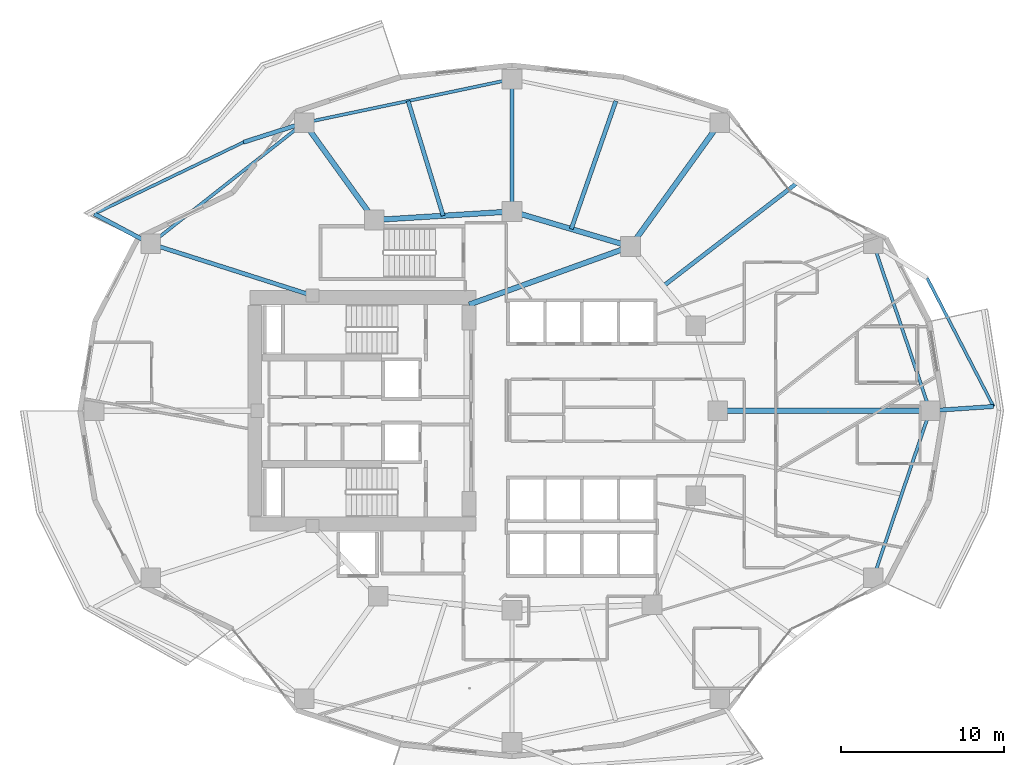
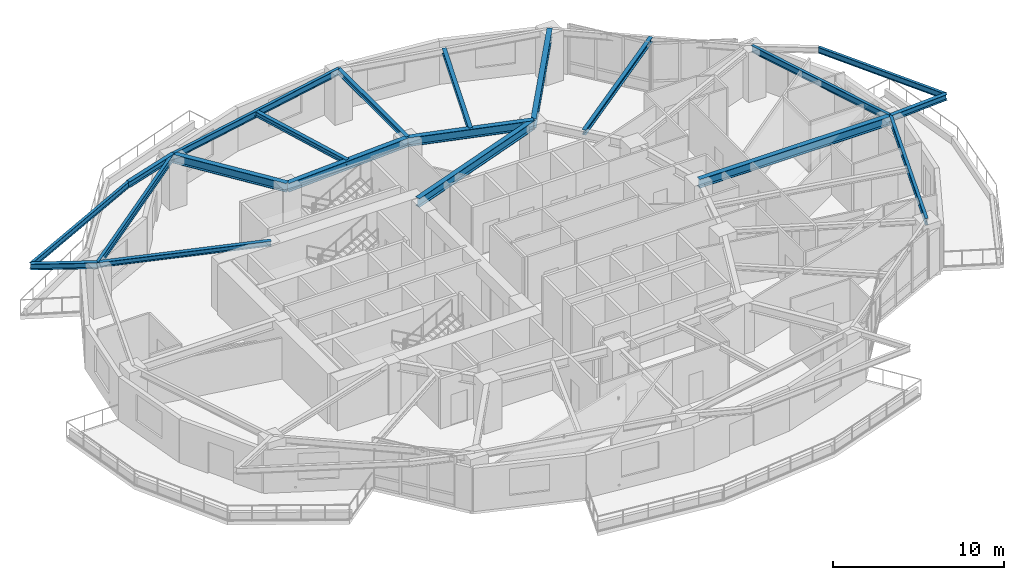
# One storey, part 5 of 19: 20 beams.
"""IFC4 building model written with IfcOpenShell, lengths in metres."""

from ifc_helpers import new_model, si_unit, direction, frame, origin, origin_2d, place, context, subcontext, project, spatial, i_section, extrude, material, material_profile, profile_set, type_object, element, save


model = new_model("IFC4")

# Units and contexts
model_context = context("Model", 3, precision=1e-05, world=origin(), true_north=direction((0.0, 1.0)))
body_context = subcontext(model_context, "Body", "Model", "MODEL_VIEW")
ifc_project = project(units=[si_unit("LENGTHUNIT", "METRE"), si_unit("AREAUNIT", "SQUARE_METRE"), si_unit("VOLUMEUNIT", "CUBIC_METRE"), si_unit("PLANEANGLEUNIT", "RADIAN"), si_unit("MASSUNIT", "GRAM", prefix="KILO")], contexts=[model_context])

# Site, building, storey
site_placement = place(None, origin())
site = spatial("IfcSite", under=ifc_project, at=site_placement, CompositionType="ELEMENT")
building_placement = place(site_placement, origin())
building = spatial("IfcBuilding", under=site, at=building_placement, Name="Kolvaren Gate Tower and Convention Centre", CompositionType="ELEMENT")
storey_placement = place(building_placement, frame((0.0, 0.0, 68.85009765625)))
storey = spatial("IfcBuildingStorey", under=building, at=storey_placement, Name="L16", CompositionType="ELEMENT", Elevation=68.85009765625)

# Beams
ifc_material = material(Name="Structural steel ASTM A992 Grade 345 MPa", Category="steel")
ifc_material_profile_1 = material_profile(ifc_material, i_section(OverallWidth=0.260009765625, OverallDepth=0.419921875, WebThickness=0.013427734375, FlangeThickness=0.0224609375, at=origin_2d()), Name="W410X132")
ifc_profile_set_1 = profile_set([ifc_material_profile_1], Name="Structural steel ASTM A992 Grade 345 MPa")
beam_type_1 = type_object("IfcBeamType", Name="STR-BM-W410X132", PredefinedType="BEAM", material=ifc_profile_set_1)
for number, where, z_axis, x_axis, name in (
    (1, (17.40380859375, 44.627197265625, 3.3603515625), (-0.952402340544, -0.304843864505, 0.0), (0.304843864505, -0.952402340544, 0.0), "Tower L17 Planted Balcony Outrigger Cantilever BC-1A"),
    (2, (8.001220703125, 37.218505859375, 3.3603515625), (-0.883204047485, 0.468988923649, 0.0), (-0.468988923649, -0.883204047485, 0.0), "Tower L17 Planted Balcony Outrigger Cantilever BC-1B"),
    (3, (55.71240234375, 27.0, 3.3603515625), (0.997745931522, 0.067104814517, 0.0), (-0.067104814517, 0.997745931522, 0.0), "Tower L17 Planted Balcony Outrigger Cantilever BC-4A"),
):
    element("IfcBeam", number, at=place(storey_placement, frame(where, z_axis=z_axis, x_axis=x_axis)), inside=storey, type_object=beam_type_1, Name=name, PredefinedType="BEAM", context=body_context, shape_type="SweptSolid", body=[
        extrude(i_section(OverallWidth=0.260009765625, OverallDepth=0.419921875, WebThickness=0.013427734375, FlangeThickness=0.0224609375, at=origin_2d()), origin(), (0.0, 0.0, 1.0), 3.900146484375),
    ])
ifc_material_profile_2 = material_profile(ifc_material, i_section(OverallWidth=0.327880859375, OverallDepth=0.6279296875, WebThickness=0.0166015625, FlangeThickness=0.027587890625, at=origin_2d()), Name="W610X217")
ifc_profile_set_2 = profile_set([ifc_material_profile_2], Name="Structural steel ASTM A992 Grade 345 MPa")
beam_type_2 = type_object("IfcBeamType", Name="STR-BM-W610X217", PredefinedType="BEAM", material=ifc_profile_set_2)
beam_1_placement = place(storey_placement, frame((37.381591796875, 37.054931640625, 3.255859375), z_axis=(-0.958980837827, 0.283470902706, 0.0), x_axis=(-0.283470902706, -0.958980837827, 0.0)))
element("IfcBeam", 4, at=beam_1_placement, inside=storey, type_object=beam_type_2, Name="Tower L16 Primary Ring Girder G-03", PredefinedType="BEAM", context=body_context, shape_type="SweptSolid", body=[
    extrude(i_section(OverallWidth=0.327880859375, OverallDepth=0.6279296875, WebThickness=0.0166015625, FlangeThickness=0.027587890625, at=origin_2d()), origin(), (0.0, 0.0, 1.0), 7.56689453125),
])
beam_2_placement = place(storey_placement, frame((30.125, 39.199951171875, 3.255859375), z_axis=(-0.998078258568, -0.06196603726, 0.0), x_axis=(0.06196603726, -0.998078258568, 0.0)))
element("IfcBeam", 5, at=beam_2_placement, inside=storey, type_object=beam_type_2, Name="Tower L16 Primary Ring Girder G-04", PredefinedType="BEAM", context=body_context, shape_type="SweptSolid", body=[
    extrude(i_section(OverallWidth=0.327880859375, OverallDepth=0.6279296875, WebThickness=0.0166015625, FlangeThickness=0.027587890625, at=origin_2d()), origin(), (0.0, 0.0, 1.0), 8.443115234375),
])
beam_3_placement = place(storey_placement, frame((27.5, 33.5, 3.255859375), z_axis=(0.940961479908, 0.338513653093, 0.0), x_axis=(-0.338513653093, 0.940961479908, 0.0)))
element("IfcBeam", 6, at=beam_3_placement, inside=storey, type_object=beam_type_2, Name="Tower L16 Primary Ring Girder G-10", PredefinedType="BEAM", context=body_context, shape_type="SweptSolid", body=[
    extrude(i_section(OverallWidth=0.327880859375, OverallDepth=0.6279296875, WebThickness=0.0166015625, FlangeThickness=0.027587890625, at=origin_2d()), origin(), (0.0, 0.0, 1.0), 10.501708984375),
])
beam_4_placement = place(storey_placement, frame((42.72509765625, 27.0, 3.255859375), z_axis=(1.0, 0.0, 0.0), x_axis=(0.0, 1.0, 0.0)))
element("IfcBeam", 7, at=beam_4_placement, inside=storey, type_object=beam_type_2, Name="Tower L16 Radial Floor Girder RB-01", PredefinedType="BEAM", context=body_context, shape_type="SweptSolid", body=[
    extrude(i_section(OverallWidth=0.327880859375, OverallDepth=0.6279296875, WebThickness=0.0166015625, FlangeThickness=0.027587890625, at=origin_2d()), origin(), (0.0, 0.0, 1.0), 12.9873046875),
])
beam_5_placement = place(storey_placement, frame((37.381591796875, 37.054931640625, 3.255859375), z_axis=(0.585207971848, 0.810883240477, 0.0), x_axis=(-0.810883240477, 0.585207971848, 0.0)))
element("IfcBeam", 8, at=beam_5_placement, inside=storey, type_object=beam_type_2, Name="Tower L16 Radial Floor Girder RB-03", PredefinedType="BEAM", context=body_context, shape_type="SweptSolid", body=[
    extrude(i_section(OverallWidth=0.327880859375, OverallDepth=0.6279296875, WebThickness=0.0166015625, FlangeThickness=0.027587890625, at=origin_2d()), origin(), (0.0, 0.0, 1.0), 9.33837890625),
])
beam_6_placement = place(storey_placement, frame((21.697998046875, 38.6767578125, 3.255859375), z_axis=(-0.585190474102, 0.810895868173, 0.0), x_axis=(-0.810895868173, -0.585190474102, 0.0)))
element("IfcBeam", 9, at=beam_6_placement, inside=storey, type_object=beam_type_2, Name="Tower L16 Radial Floor Girder RB-05", PredefinedType="BEAM", context=body_context, shape_type="SweptSolid", body=[
    extrude(i_section(OverallWidth=0.327880859375, OverallDepth=0.6279296875, WebThickness=0.0166015625, FlangeThickness=0.027587890625, at=origin_2d()), origin(), (0.0, 0.0, 1.0), 7.338134765625),
])
ifc_material_profile_3 = material_profile(ifc_material, i_section(OverallWidth=0.2548828125, OverallDepth=0.35693359375, WebThickness=0.010498046875, FlangeThickness=0.018310546875, at=origin_2d()), Name="W360X101")
ifc_profile_set_3 = profile_set([ifc_material_profile_3], Name="Structural steel ASTM A992 Grade 345 MPa")
beam_type_3 = type_object("IfcBeamType", Name="STR-JS-W360X101", PredefinedType="JOIST", material=ifc_profile_set_3)
beam_7_placement = place(storey_placement, frame((30.125, 39.199951171875, 3.391357421875), z_axis=(0.0, 1.0, 0.0), x_axis=(-1.0, 0.0, 0.0)))
element("IfcBeam", 10, at=beam_7_placement, inside=storey, type_object=beam_type_3, Name="Tower L16 Radial Floor Girder RB-04", PredefinedType="JOIST", context=body_context, shape_type="SweptSolid", body=[
    extrude(i_section(OverallWidth=0.2548828125, OverallDepth=0.35693359375, WebThickness=0.010498046875, FlangeThickness=0.018310546875, at=origin_2d()), origin(), (0.0, 0.0, 1.0), 8.10009765625),
])
beam_8_placement = place(storey_placement, frame((17.9140625, 34.050048828125, 3.391357421875), z_axis=(-0.952525967456, 0.304457355507, 0.0), x_axis=(-0.304457355507, -0.952525967456, 0.0)))
element("IfcBeam", 11, at=beam_8_placement, inside=storey, type_object=beam_type_3, Name="Tower L16 Radial Floor Girder RB-06", PredefinedType="JOIST", context=body_context, shape_type="SweptSolid", body=[
    extrude(i_section(OverallWidth=0.2548828125, OverallDepth=0.35693359375, WebThickness=0.010498046875, FlangeThickness=0.018310546875, at=origin_2d()), origin(), (0.0, 0.0, 1.0), 10.406982421875),
])
beam_9_placement = place(storey_placement, frame((39.3818359375, 34.627197265625, 3.391357421875), z_axis=(0.791953664744, 0.610581192716, 0.0), x_axis=(-0.610581192716, 0.791953664744, 0.0)))
element("IfcBeam", 12, at=beam_9_placement, inside=storey, type_object=beam_type_3, Name="Tower L16 Secondary Composite Floor Joist J-02.1", PredefinedType="JOIST", context=body_context, shape_type="SweptSolid", body=[
    extrude(i_section(OverallWidth=0.2548828125, OverallDepth=0.35693359375, WebThickness=0.010498046875, FlangeThickness=0.018310546875, at=origin_2d()), origin(), (0.0, 0.0, 1.0), 10.31103515625),
])
beam_10_placement = place(storey_placement, frame((33.75341796875, 38.12744140625, 3.391357421875), z_axis=(0.329233693857, 0.944248470917, 0.0), x_axis=(-0.944248470917, 0.329233693857, 0.0)))
element("IfcBeam", 13, at=beam_10_placement, inside=storey, type_object=beam_type_3, Name="Tower L16 Secondary Composite Floor Joist J-03.1", PredefinedType="JOIST", context=body_context, shape_type="SweptSolid", body=[
    extrude(i_section(OverallWidth=0.2548828125, OverallDepth=0.35693359375, WebThickness=0.010498046875, FlangeThickness=0.018310546875, at=origin_2d()), origin(), (0.0, 0.0, 1.0), 8.298583984375),
])
beam_11_placement = place(storey_placement, frame((25.91162109375, 38.938232421875, 3.391357421875), z_axis=(-0.292298748053, 0.956327058012, 0.0), x_axis=(-0.956327058012, -0.292298748053, 0.0)))
element("IfcBeam", 14, at=beam_11_placement, inside=storey, type_object=beam_type_3, Name="Tower L16 Secondary Composite Floor Joist J-04.1", PredefinedType="JOIST", context=body_context, shape_type="SweptSolid", body=[
    extrude(i_section(OverallWidth=0.2548828125, OverallDepth=0.35693359375, WebThickness=0.010498046875, FlangeThickness=0.018310546875, at=origin_2d()), origin(), (0.0, 0.0, 1.0), 7.345947265625),
])
ifc_material_profile_4 = material_profile(ifc_material, i_section(OverallWidth=0.180908203125, OverallDepth=0.4169921875, WebThickness=0.010986328125, FlangeThickness=0.018310546875, at=origin_2d()), Name="W410X85")
ifc_profile_set_4 = profile_set([ifc_material_profile_4], Name="Structural steel ASTM A992 Grade 345 MPa")
beam_type_4 = type_object("IfcBeamType", Name="STR-SP-W410X85", PredefinedType="SPANDREL", material=ifc_profile_set_4)
beam_12_placement = place(storey_placement, frame((13.689208984375, 43.438232421875, 3.36181640625), z_axis=(-0.90125369106, -0.433291800466, 0.0), x_axis=(0.433291800466, -0.90125369106, 0.0)))
element("IfcBeam", 15, at=beam_12_placement, inside=storey, type_object=beam_type_4, Name="Tower L17 Planted Balcony Header Tie Beam BT-1", PredefinedType="SPANDREL", context=body_context, shape_type="SweptSolid", body=[
    extrude(i_section(OverallWidth=0.180908203125, OverallDepth=0.4169921875, WebThickness=0.010986328125, FlangeThickness=0.018310546875, at=origin_2d()), origin(), (0.0, 0.0, 1.0), 10.13330078125),
])
beam_13_placement = place(storey_placement, frame((59.603759765625, 27.26171875, 3.36181640625), z_axis=(-0.459287093639, 0.888287884425, 0.0), x_axis=(-0.888287884425, -0.459287093639, 0.0)))
element("IfcBeam", 16, at=beam_13_placement, inside=storey, type_object=beam_type_4, Name="Tower L17 Planted Balcony Header Tie Beam BT-4", PredefinedType="SPANDREL", context=body_context, shape_type="SweptSolid", body=[
    extrude(i_section(OverallWidth=0.180908203125, OverallDepth=0.4169921875, WebThickness=0.010986328125, FlangeThickness=0.018310546875, at=origin_2d()), origin(), (0.0, 0.0, 1.0), 8.85107421875),
])
ifc_material_profile_5 = material_profile(ifc_material, i_section(OverallWidth=0.194091796875, OverallDepth=0.468994140625, WebThickness=0.0126953125, FlangeThickness=0.0205078125, at=origin_2d()), Name="W460X106")
ifc_profile_set_5 = profile_set([ifc_material_profile_5], Name="Structural steel ASTM A992 Grade 345 MPa")
beam_type_5 = type_object("IfcBeamType", Name="STR-SP-W460X106", PredefinedType="SPANDREL", material=ifc_profile_set_5)
beam_14_placement = place(storey_placement, frame((55.71240234375, 27.0, 3.33544921875), z_axis=(-0.321016233787, 0.947073691771, 0.0), x_axis=(-0.947073691771, -0.321016233787, 0.0)))
element("IfcBeam", 17, at=beam_14_placement, inside=storey, type_object=beam_type_5, Name="Tower L16 Perimeter Spandrel Beam SP-01", PredefinedType="SPANDREL", context=body_context, shape_type="SweptSolid", body=[
    extrude(i_section(OverallWidth=0.194091796875, OverallDepth=0.468994140625, WebThickness=0.0126953125, FlangeThickness=0.0205078125, at=origin_2d()), origin(), (0.0, 0.0, 1.0), 10.78955078125),
])
beam_15_placement = place(storey_placement, frame((30.125, 47.300048828125, 3.33544921875), z_axis=(-0.97863180809, -0.205620485836, 0.0), x_axis=(0.205620485836, -0.97863180809, 0.0)))
element("IfcBeam", 18, at=beam_15_placement, inside=storey, type_object=beam_type_5, Name="Tower L16 Perimeter Spandrel Beam SP-04", PredefinedType="SPANDREL", context=body_context, shape_type="SweptSolid", body=[
    extrude(i_section(OverallWidth=0.194091796875, OverallDepth=0.468994140625, WebThickness=0.0126953125, FlangeThickness=0.0205078125, at=origin_2d()), origin(), (0.0, 0.0, 1.0), 12.9990234375),
])
beam_16_placement = place(storey_placement, frame((17.40380859375, 44.627197265625, 3.33544921875), z_axis=(-0.785467636887, -0.618902731778, 0.0), x_axis=(0.618902731778, -0.785467636887, 0.0)))
element("IfcBeam", 19, at=beam_16_placement, inside=storey, type_object=beam_type_5, Name="Tower L16 Perimeter Spandrel Beam SP-05", PredefinedType="SPANDREL", context=body_context, shape_type="SweptSolid", body=[
    extrude(i_section(OverallWidth=0.194091796875, OverallDepth=0.468994140625, WebThickness=0.0126953125, FlangeThickness=0.0205078125, at=origin_2d()), origin(), (0.0, 0.0, 1.0), 11.970703125),
])
beam_17_placement = place(storey_placement, frame((52.248779296875, 16.781494140625, 3.33544921875), z_axis=(0.321016233787, 0.947073691771, 0.0), x_axis=(-0.947073691771, 0.321016233787, 0.0)))
element("IfcBeam", 20, at=beam_17_placement, inside=storey, type_object=beam_type_5, Name="Tower L16 Perimeter Spandrel Beam SP-12", PredefinedType="SPANDREL", context=body_context, shape_type="SweptSolid", body=[
    extrude(i_section(OverallWidth=0.194091796875, OverallDepth=0.468994140625, WebThickness=0.0126953125, FlangeThickness=0.0205078125, at=origin_2d()), origin(), (0.0, 0.0, 1.0), 10.78955078125),
])

save(model, "model.ifc")
